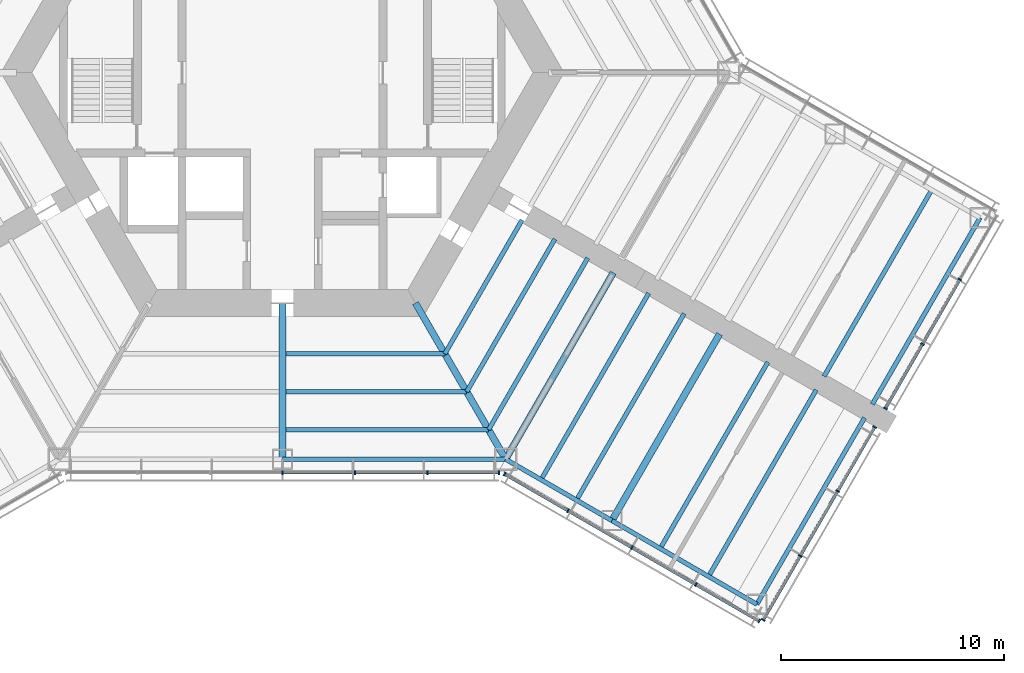
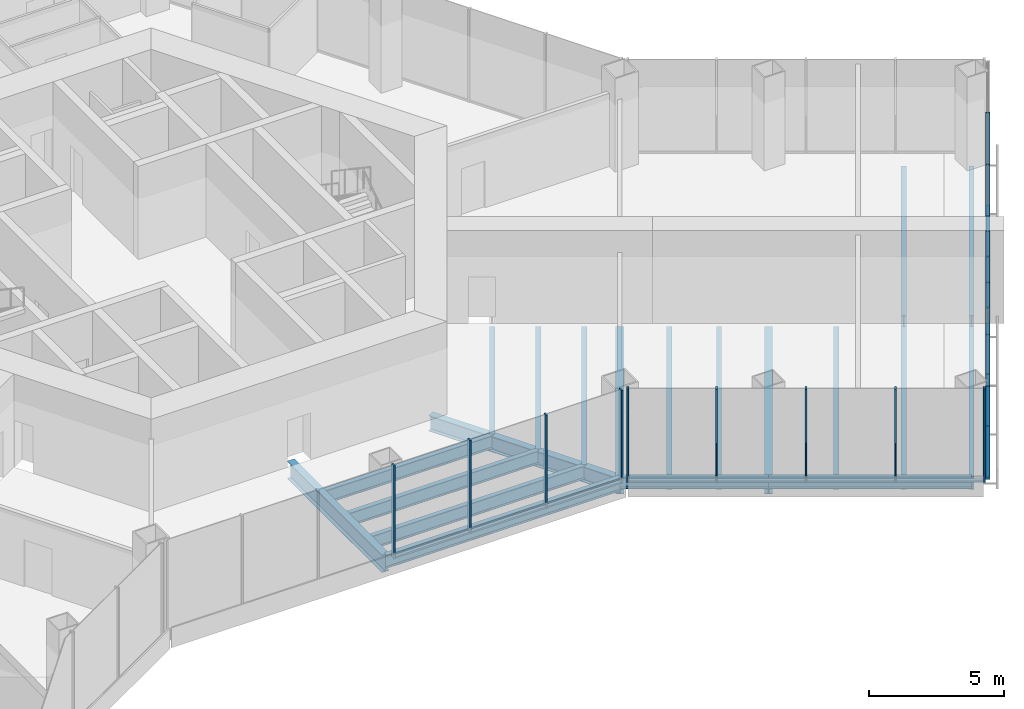
# One storey, part 4 of 16: 28 members, 20 beams, 4 elements without a shape of their own.
"""IFC4 building model written with IfcOpenShell, lengths in metres."""

from ifc_helpers import new_model, si_unit, direction, frame, origin, origin_2d, place, context, subcontext, project, spatial, rectangle, i_section, extrude, material, material_profile, profile_set, type_object, element, aggregate, save


model = new_model("IFC4")

# Units and contexts
model_context = context("Model", 3, precision=1e-05, world=origin(), true_north=direction((0.0, 1.0)))
body_context = subcontext(model_context, "Body", "Model", "MODEL_VIEW")
ifc_project = project(units=[si_unit("LENGTHUNIT", "METRE"), si_unit("AREAUNIT", "SQUARE_METRE"), si_unit("VOLUMEUNIT", "CUBIC_METRE"), si_unit("PLANEANGLEUNIT", "RADIAN"), si_unit("MASSUNIT", "GRAM", prefix="KILO")], contexts=[model_context])

# Site, building, storey
site_placement = place(None, origin())
site = spatial("IfcSite", under=ifc_project, at=site_placement, CompositionType="ELEMENT")
building_placement = place(site_placement, origin())
building = spatial("IfcBuilding", under=site, at=building_placement, Name="Kasaneha Research Tower", CompositionType="ELEMENT")
storey_placement = place(building_placement, frame((0.0, 0.0, 10.0)))
storey = spatial("IfcBuildingStorey", under=building, at=storey_placement, Name="L03", CompositionType="ELEMENT", Elevation=10.0)

# Beams
ifc_material_1 = material(Name="Steel SN490B", Category="steel")
ifc_material_profile_1 = material_profile(ifc_material_1, i_section(OverallWidth=0.199951171875, OverallDepth=0.60009765625, WebThickness=0.010986328125, FlangeThickness=0.01708984375, FilletRadius=0.012939453125, at=origin_2d()), Name="H-600x200x11x17")
ifc_profile_set_1 = profile_set([ifc_material_profile_1], Name="Steel SN490B")
beam_type_1 = type_object("IfcBeamType", Name="B1-1 secondary beam H-600x200x11x17", PredefinedType="JOIST", material=ifc_profile_set_1)
beam_1_placement = place(storey_placement, frame((7.274658203125, -12.60009765625, -0.5), z_axis=(-1.0, 0.0, 0.0), x_axis=(0.0, -1.0, 0.0)))
element("IfcBeam", 1, at=beam_1_placement, inside=storey, type_object=beam_type_1, Name="Secondary beam RS270R1 L03", PredefinedType="JOIST", context=body_context, shape_type="SweptSolid", body=[
    extrude(i_section(OverallWidth=0.199951171875, OverallDepth=0.60009765625, WebThickness=0.010986328125, FlangeThickness=0.01708984375, FilletRadius=0.012939453125, at=origin_2d()), origin(), (0.0, 0.0, 1.0), 7.124755859375),
])
beam_2_placement = place(storey_placement, frame((8.256103515625, -14.300048828125, -0.5), z_axis=(-1.0, 0.0, 0.0), x_axis=(0.0, -1.0, 0.0)))
element("IfcBeam", 2, at=beam_2_placement, inside=storey, type_object=beam_type_1, Name="Secondary beam RS270R2 L03", PredefinedType="JOIST", context=body_context, shape_type="SweptSolid", body=[
    extrude(i_section(OverallWidth=0.199951171875, OverallDepth=0.60009765625, WebThickness=0.010986328125, FlangeThickness=0.01708984375, FilletRadius=0.012939453125, at=origin_2d()), origin(), (0.0, 0.0, 1.0), 8.106201171875),
])
beam_3_placement = place(storey_placement, frame((9.237548828125, -16.0, -0.5), z_axis=(-1.0, 0.0, 0.0), x_axis=(0.0, -1.0, 0.0)))
element("IfcBeam", 3, at=beam_3_placement, inside=storey, type_object=beam_type_1, Name="Secondary beam RS270R3 L03", PredefinedType="JOIST", context=body_context, shape_type="SweptSolid", body=[
    extrude(i_section(OverallWidth=0.199951171875, OverallDepth=0.60009765625, WebThickness=0.010986328125, FlangeThickness=0.01708984375, FilletRadius=0.012939453125, at=origin_2d()), origin(), (0.0, 0.0, 1.0), 9.087646484375),
])
beam_4_placement = place(storey_placement, frame((7.274658203125, -12.60009765625, -0.5), z_axis=(0.499972710878, 0.866041158593, 0.0), x_axis=(-0.866041158593, 0.499972710878, 0.0)))
element("IfcBeam", 4, at=beam_4_placement, inside=storey, type_object=beam_type_1, Name="Secondary beam RS330L1 L03", PredefinedType="JOIST", context=body_context, shape_type="SweptSolid", body=[
    extrude(i_section(OverallWidth=0.199951171875, OverallDepth=0.60009765625, WebThickness=0.010986328125, FlangeThickness=0.01708984375, FilletRadius=0.012939453125, at=origin_2d()), origin(), (0.0, 0.0, 1.0), 6.9248046875),
])
beam_5_placement = place(storey_placement, frame((8.256103515625, -14.300048828125, -0.5), z_axis=(0.500004902938, 0.866022573054, 0.0), x_axis=(-0.866022573054, 0.500004902938, 0.0)))
element("IfcBeam", 5, at=beam_5_placement, inside=storey, type_object=beam_type_1, Name="Secondary beam RS330L2 L03", PredefinedType="JOIST", context=body_context, shape_type="SweptSolid", body=[
    extrude(i_section(OverallWidth=0.199951171875, OverallDepth=0.60009765625, WebThickness=0.010986328125, FlangeThickness=0.01708984375, FilletRadius=0.012939453125, at=origin_2d()), origin(), (0.0, 0.0, 1.0), 7.90625),
])
beam_6_placement = place(storey_placement, frame((9.237548828125, -16.0, -0.5), z_axis=(0.500009382636, 0.866019986649, 0.0), x_axis=(-0.866019986649, 0.500009382636, 0.0)))
element("IfcBeam", 6, at=beam_6_placement, inside=storey, type_object=beam_type_1, Name="Secondary beam RS330L3 L03", PredefinedType="JOIST", context=body_context, shape_type="SweptSolid", body=[
    extrude(i_section(OverallWidth=0.199951171875, OverallDepth=0.60009765625, WebThickness=0.010986328125, FlangeThickness=0.01708984375, FilletRadius=0.012939453125, at=origin_2d()), origin(), (0.0, 0.0, 1.0), 8.887451171875),
])
ifc_material_2 = material(Name="Steel SN490B", Category="steel")
ifc_material_profile_2 = material_profile(ifc_material_2, i_section(OverallWidth=0.198974609375, OverallDepth=0.595947265625, WebThickness=0.010009765625, FlangeThickness=0.014892578125, FilletRadius=0.012939453125, at=origin_2d()), Name="H-596x199x10x15")
ifc_profile_set_2 = profile_set([ifc_material_profile_2], Name="Steel SN490B")
beam_type_2 = type_object("IfcBeamType", Name="B2-1 secondary beam H-596x199x10x15", PredefinedType="JOIST", material=ifc_profile_set_2)
for number, where, z_axis, x_axis, name in (
    (7, (11.587646484375, -18.237060546875, -0.498046875), (0.50000569793, 0.866022114058, 0.0), (-0.866022114058, 0.50000569793, 0.0), "Secondary beam WBCP1 L03"),
    (8, (13.175537109375, -19.15380859375, -0.498046875), (0.499994742786, 0.866028439017, 0.0), (-0.866028439017, 0.499994742786, 0.0), "Secondary beam WBCP2 L03"),
    (9, (16.92822265625, -21.320556640625, -0.498046875), (0.499994742786, 0.866028439017, 0.0), (-0.866028439017, 0.499994742786, 0.0), "Secondary beam WBCP3 L03"),
    (10, (19.09326171875, -22.570556640625, -0.498046875), (0.499994742786, 0.866028439017, 0.0), (-0.866028439017, 0.499994742786, 0.0), "Secondary beam WBCP4 L03"),
    (11, (29.09326171875, -5.25, -0.498046875), (-0.499994742786, -0.866028439017, 0.0), (0.866028439017, -0.499994742786, 0.0), "Secondary beam WBCN4 L03"),
):
    element("IfcBeam", number, at=place(storey_placement, frame(where, z_axis=z_axis, x_axis=x_axis)), inside=storey, type_object=beam_type_2, Name=name, PredefinedType="JOIST", context=body_context, shape_type="SweptSolid", body=[
        extrude(i_section(OverallWidth=0.198974609375, OverallDepth=0.595947265625, WebThickness=0.010009765625, FlangeThickness=0.014892578125, FilletRadius=0.012939453125, at=origin_2d()), origin(), (0.0, 0.0, 1.0), 9.64990234375),
    ])

# Curtain wall, members
ifc_material_3 = material(Name="Glass and aluminium", Category="aluminium")
curtain_wall_type = type_object("IfcCurtainWallType", Name="Wet laboratory curtain wall", PredefinedType="USERDEFINED", material=ifc_material_3)
curtain_wall_1_placement = place(storey_placement, origin())
curtain_wall_1 = element("IfcCurtainWall", 12, at=curtain_wall_1_placement, inside=storey, type_object=curtain_wall_type, Name="CW-L1 L03 run 02a", ObjectType="UNITISED CURTAIN WALL", PredefinedType="USERDEFINED")
ifc_material_4 = material(Name="Aluminium 6063-T6", Category="aluminium")
ifc_material_profile_3 = material_profile(ifc_material_4, rectangle(XDim=0.06494140625, YDim=0.179931640625, at=origin_2d()), Name="CW-L1 mullion 65x180")
ifc_profile_set_3 = profile_set([ifc_material_profile_3], Name="Aluminium 6063-T6")
member_type_1 = type_object("IfcMemberType", Name="CW-L1 mullion", PredefinedType="MULLION", material=ifc_profile_set_3)
member_1_placement = place(storey_placement, frame((0.0, -17.92041015625, 0.0), z_axis=(0.0, 0.0, 1.0), x_axis=(1.0, 0.0, 0.0)))
member_1 = element("IfcMember", 13, at=member_1_placement, type_object=member_type_1, Name="CW-L1 mullion 4", PredefinedType="MULLION", context=body_context, shape_type="SweptSolid", body=[
    extrude(rectangle(XDim=0.06494140625, YDim=0.179931640625, at=origin_2d()), origin(), (0.0, 0.0, 1.0), 4.199951171875),
])
member_2_placement = place(storey_placement, frame((3.246337890625, -17.92041015625, 0.0), z_axis=(0.0, 0.0, 1.0), x_axis=(1.0, 0.0, 0.0)))
member_2 = element("IfcMember", 14, at=member_2_placement, type_object=member_type_1, Name="CW-L1 mullion 5", PredefinedType="MULLION", context=body_context, shape_type="SweptSolid", body=[
    extrude(rectangle(XDim=0.06494140625, YDim=0.179931640625, at=origin_2d()), origin(), (0.0, 0.0, 1.0), 4.199951171875),
])
member_3_placement = place(storey_placement, frame((6.492919921875, -17.92041015625, 0.0), z_axis=(0.0, 0.0, 1.0), x_axis=(1.0, 0.0, 0.0)))
member_3 = element("IfcMember", 15, at=member_3_placement, type_object=member_type_1, Name="CW-L1 mullion 6", PredefinedType="MULLION", context=body_context, shape_type="SweptSolid", body=[
    extrude(rectangle(XDim=0.06494140625, YDim=0.179931640625, at=origin_2d()), origin(), (0.0, 0.0, 1.0), 4.199951171875),
])
member_4_placement = place(storey_placement, frame((9.706787109375, -17.92041015625, 0.0), z_axis=(0.0, 0.0, 1.0), x_axis=(1.0, 0.0, 0.0)))
member_4 = element("IfcMember", 16, at=member_4_placement, type_object=member_type_1, Name="CW-L1 mullion 7", PredefinedType="MULLION", context=body_context, shape_type="SweptSolid", body=[
    extrude(rectangle(XDim=0.06494140625, YDim=0.179931640625, at=origin_2d()), origin(), (0.0, 0.0, 1.0), 4.199951171875),
])

curtain_wall_2_placement = place(storey_placement, origin())
curtain_wall_2 = element("IfcCurtainWall", 17, at=curtain_wall_2_placement, inside=storey, type_object=curtain_wall_type, Name="CW-L1 L03 run 03a", ObjectType="UNITISED CURTAIN WALL", PredefinedType="USERDEFINED")
member_5_placement = place(storey_placement, frame((9.953857421875, -17.98681640625, 0.0), z_axis=(0.0, 0.0, 1.0), x_axis=(0.866025411464, -0.499999986699, 0.0)))
member_5 = element("IfcMember", 18, at=member_5_placement, type_object=member_type_1, Name="CW-L1 mullion 1", PredefinedType="MULLION", context=body_context, shape_type="SweptSolid", body=[
    extrude(rectangle(XDim=0.06494140625, YDim=0.179931640625, at=origin_2d()), origin(), (0.0, 0.0, 1.0), 4.199951171875),
])
member_6_placement = place(storey_placement, frame((12.792236328125, -19.62548828125, 0.0), z_axis=(0.0, 0.0, 1.0), x_axis=(0.866025411464, -0.499999986699, 0.0)))
member_6 = element("IfcMember", 19, at=member_6_placement, type_object=member_type_1, Name="CW-L1 mullion 2", PredefinedType="MULLION", context=body_context, shape_type="SweptSolid", body=[
    extrude(rectangle(XDim=0.06494140625, YDim=0.179931640625, at=origin_2d()), origin(), (0.0, 0.0, 1.0), 4.199951171875),
])
member_7_placement = place(storey_placement, frame((15.65869140625, -21.2802734375, 0.0), z_axis=(0.0, 0.0, 1.0), x_axis=(0.866025411464, -0.499999986699, 0.0)))
member_7 = element("IfcMember", 20, at=member_7_placement, type_object=member_type_1, Name="CW-L1 mullion 3", PredefinedType="MULLION", context=body_context, shape_type="SweptSolid", body=[
    extrude(rectangle(XDim=0.06494140625, YDim=0.179931640625, at=origin_2d()), origin(), (0.0, 0.0, 1.0), 4.199951171875),
])
member_8_placement = place(storey_placement, frame((18.52490234375, -22.935302734375, 0.0), z_axis=(0.0, 0.0, 1.0), x_axis=(0.866025411464, -0.499999986699, 0.0)))
member_8 = element("IfcMember", 21, at=member_8_placement, type_object=member_type_1, Name="CW-L1 mullion 4", PredefinedType="MULLION", context=body_context, shape_type="SweptSolid", body=[
    extrude(rectangle(XDim=0.06494140625, YDim=0.179931640625, at=origin_2d()), origin(), (0.0, 0.0, 1.0), 4.199951171875),
])
member_9_placement = place(storey_placement, frame((21.36328125, -24.573974609375, 0.0), z_axis=(0.0, 0.0, 1.0), x_axis=(0.866025411464, -0.499999986699, 0.0)))
member_9 = element("IfcMember", 22, at=member_9_placement, type_object=member_type_1, Name="CW-L1 mullion 5", PredefinedType="MULLION", context=body_context, shape_type="SweptSolid", body=[
    extrude(rectangle(XDim=0.06494140625, YDim=0.179931640625, at=origin_2d()), origin(), (0.0, 0.0, 1.0), 4.199951171875),
])

curtain_wall_3_placement = place(storey_placement, origin())
curtain_wall_3 = element("IfcCurtainWall", 23, at=curtain_wall_3_placement, inside=storey, type_object=curtain_wall_type, Name="CW-L1 L03 run 04a", ObjectType="UNITISED CURTAIN WALL", PredefinedType="USERDEFINED")
member_10_placement = place(storey_placement, frame((21.544189453125, -24.525390625, 0.0), z_axis=(0.0, 0.0, 1.0), x_axis=(0.500000011442, 0.866025397178, 0.0)))
member_10 = element("IfcMember", 24, at=member_10_placement, type_object=member_type_1, Name="CW-L1 mullion 1", PredefinedType="MULLION", context=body_context, shape_type="SweptSolid", body=[
    extrude(rectangle(XDim=0.06494140625, YDim=0.179931640625, at=origin_2d()), origin(), (0.0, 0.0, 1.0), 4.199951171875),
])
member_11_placement = place(storey_placement, frame((23.202880859375, -21.65234375, 0.0), z_axis=(0.0, 0.0, 1.0), x_axis=(0.500000011442, 0.866025397178, 0.0)))
member_11 = element("IfcMember", 25, at=member_11_placement, type_object=member_type_1, Name="CW-L1 mullion 2", PredefinedType="MULLION", context=body_context, shape_type="SweptSolid", body=[
    extrude(rectangle(XDim=0.06494140625, YDim=0.179931640625, at=origin_2d()), origin(), (0.0, 0.0, 1.0), 4.199951171875),
])
member_12_placement = place(storey_placement, frame((24.8779296875, -18.751220703125, 0.0), z_axis=(0.0, 0.0, 1.0), x_axis=(0.500000011442, 0.866025397178, 0.0)))
member_12 = element("IfcMember", 26, at=member_12_placement, type_object=member_type_1, Name="CW-L1 mullion 3", PredefinedType="MULLION", context=body_context, shape_type="SweptSolid", body=[
    extrude(rectangle(XDim=0.06494140625, YDim=0.179931640625, at=origin_2d()), origin(), (0.0, 0.0, 1.0), 4.199951171875),
])
member_13_placement = place(storey_placement, frame((26.53662109375, -15.878173828125, 0.0), z_axis=(0.0, 0.0, 1.0), x_axis=(0.500000011442, 0.866025397178, 0.0)))
member_13 = element("IfcMember", 27, at=member_13_placement, type_object=member_type_1, Name="CW-L1 mullion 4", PredefinedType="MULLION", context=body_context, shape_type="SweptSolid", body=[
    extrude(rectangle(XDim=0.06494140625, YDim=0.179931640625, at=origin_2d()), origin(), (0.0, 0.0, 1.0), 4.199951171875),
])

curtain_wall_4_placement = place(storey_placement, origin())
curtain_wall_4 = element("IfcCurtainWall", 28, at=curtain_wall_4_placement, inside=storey, type_object=curtain_wall_type, Name="CW-L1 L03 run 05a", ObjectType="UNITISED CURTAIN WALL", PredefinedType="USERDEFINED")
member_14_placement = place(storey_placement, frame((27.019287109375, -15.04248046875, 0.0), z_axis=(0.0, 0.0, 1.0), x_axis=(0.500000011442, 0.866025397178, 0.0)))
member_14 = element("IfcMember", 29, at=member_14_placement, type_object=member_type_1, Name="CW-L1 mullion 1", PredefinedType="MULLION", context=body_context, shape_type="SweptSolid", body=[
    extrude(rectangle(XDim=0.06494140625, YDim=0.179931640625, at=origin_2d()), origin(), (0.0, 0.0, 1.0), 4.199951171875),
])
member_15_placement = place(storey_placement, frame((28.677978515625, -12.16943359375, 0.0), z_axis=(0.0, 0.0, 1.0), x_axis=(0.500000011442, 0.866025397178, 0.0)))
member_15 = element("IfcMember", 30, at=member_15_placement, type_object=member_type_1, Name="CW-L1 mullion 2", PredefinedType="MULLION", context=body_context, shape_type="SweptSolid", body=[
    extrude(rectangle(XDim=0.06494140625, YDim=0.179931640625, at=origin_2d()), origin(), (0.0, 0.0, 1.0), 4.199951171875),
])
member_16_placement = place(storey_placement, frame((30.35302734375, -9.26806640625, 0.0), z_axis=(0.0, 0.0, 1.0), x_axis=(0.500000011442, 0.866025397178, 0.0)))
member_16 = element("IfcMember", 31, at=member_16_placement, type_object=member_type_1, Name="CW-L1 mullion 3", PredefinedType="MULLION", context=body_context, shape_type="SweptSolid", body=[
    extrude(rectangle(XDim=0.06494140625, YDim=0.179931640625, at=origin_2d()), origin(), (0.0, 0.0, 1.0), 4.199951171875),
])

# Member
ifc_material_5 = material(Name="Aluminium 6063-T6", Category="aluminium")
ifc_material_profile_4 = material_profile(ifc_material_5, rectangle(XDim=0.139892578125, YDim=0.06494140625, at=origin_2d()), Name="CW-L1 transom 140x65")
ifc_profile_set_4 = profile_set([ifc_material_profile_4], Name="Aluminium 6063-T6")
member_type_2 = type_object("IfcMemberType", Name="CW-L1 transom", PredefinedType="USERDEFINED", material=ifc_profile_set_4)
member_17_placement = place(storey_placement, frame((0.032470703125, -17.92041015625, 0.032470703125), z_axis=(1.0, 0.0, 0.0), x_axis=(0.0, 1.0, 0.0)))
member_17 = element("IfcMember", 32, at=member_17_placement, type_object=member_type_2, Name="CW-L1 transom 4", ObjectType="TRANSOM", PredefinedType="USERDEFINED", context=body_context, shape_type="SweptSolid", body=[
    extrude(rectangle(XDim=0.139892578125, YDim=0.06494140625, at=origin_2d()), origin(), (0.0, 0.0, 1.0), 3.181396484375),
])

member_18_placement = place(storey_placement, frame((3.27880859375, -17.92041015625, 0.032470703125), z_axis=(1.0, 0.0, 0.0), x_axis=(0.0, 1.0, 0.0)))
member_18 = element("IfcMember", 33, at=member_18_placement, type_object=member_type_2, Name="CW-L1 transom 5", ObjectType="TRANSOM", PredefinedType="USERDEFINED", context=body_context, shape_type="SweptSolid", body=[
    extrude(rectangle(XDim=0.139892578125, YDim=0.06494140625, at=origin_2d()), origin(), (0.0, 0.0, 1.0), 3.181396484375),
])

member_19_placement = place(storey_placement, frame((6.525390625, -17.92041015625, 0.032470703125), z_axis=(1.0, 0.0, 0.0), x_axis=(0.0, 1.0, 0.0)))
member_19 = element("IfcMember", 34, at=member_19_placement, type_object=member_type_2, Name="CW-L1 transom 6", ObjectType="TRANSOM", PredefinedType="USERDEFINED", context=body_context, shape_type="SweptSolid", body=[
    extrude(rectangle(XDim=0.139892578125, YDim=0.06494140625, at=origin_2d()), origin(), (0.0, 0.0, 1.0), 3.14892578125),
])

aggregate(curtain_wall_1, [member_1, member_2, member_3, member_4, member_17, member_18, member_19])

member_20_placement = place(storey_placement, frame((9.982177734375, -18.0029296875, 0.032470703125), z_axis=(0.866022320763, -0.500005339912, 0.0), x_axis=(0.500005339912, 0.866022320763, 0.0)))
member_20 = element("IfcMember", 35, at=member_20_placement, type_object=member_type_2, Name="CW-L1 transom 1", ObjectType="TRANSOM", PredefinedType="USERDEFINED", context=body_context, shape_type="SweptSolid", body=[
    extrude(rectangle(XDim=0.139892578125, YDim=0.06494140625, at=origin_2d()), origin(), (0.0, 0.0, 1.0), 3.21240234375),
])

member_21_placement = place(storey_placement, frame((12.8203125, -19.6416015625, 0.032470703125), z_axis=(0.866002649306, -0.500039409842, 0.0), x_axis=(0.500039409842, 0.866002649306, 0.0)))
member_21 = element("IfcMember", 36, at=member_21_placement, type_object=member_type_2, Name="CW-L1 transom 2", ObjectType="TRANSOM", PredefinedType="USERDEFINED", context=body_context, shape_type="SweptSolid", body=[
    extrude(rectangle(XDim=0.139892578125, YDim=0.06494140625, at=origin_2d()), origin(), (0.0, 0.0, 1.0), 3.244873046875),
])

member_22_placement = place(storey_placement, frame((15.686767578125, -21.296630859375, 0.032470703125), z_axis=(0.866035229914, -0.499982980259, 0.0), x_axis=(0.499982980259, 0.866035229914, 0.0)))
member_22 = element("IfcMember", 37, at=member_22_placement, type_object=member_type_2, Name="CW-L1 transom 3", ObjectType="TRANSOM", PredefinedType="USERDEFINED", context=body_context, shape_type="SweptSolid", body=[
    extrude(rectangle(XDim=0.139892578125, YDim=0.06494140625, at=origin_2d()), origin(), (0.0, 0.0, 1.0), 3.24462890625),
])

member_23_placement = place(storey_placement, frame((18.55322265625, -22.951416015625, 0.032470703125), z_axis=(0.86600331843, -0.500038251005, 0.0), x_axis=(0.500038251005, 0.86600331843, 0.0)))
member_23 = element("IfcMember", 38, at=member_23_placement, type_object=member_type_2, Name="CW-L1 transom 4", ObjectType="TRANSOM", PredefinedType="USERDEFINED", context=body_context, shape_type="SweptSolid", body=[
    extrude(rectangle(XDim=0.139892578125, YDim=0.06494140625, at=origin_2d()), origin(), (0.0, 0.0, 1.0), 3.212158203125),
])

aggregate(curtain_wall_2, [member_5, member_6, member_7, member_8, member_9, member_20, member_21, member_22, member_23])

member_24_placement = place(storey_placement, frame((21.560546875, -24.497314453125, 0.032470703125), z_axis=(0.499973687205, 0.866040594951, 0.0), x_axis=(-0.866040594951, 0.499973687205, 0.0)))
member_24 = element("IfcMember", 39, at=member_24_placement, type_object=member_type_2, Name="CW-L1 transom 1", ObjectType="TRANSOM", PredefinedType="USERDEFINED", context=body_context, shape_type="SweptSolid", body=[
    extrude(rectangle(XDim=0.139892578125, YDim=0.06494140625, at=origin_2d()), origin(), (0.0, 0.0, 1.0), 3.252685546875),
])

member_25_placement = place(storey_placement, frame((23.21923828125, -21.624267578125, 0.032470703125), z_axis=(0.50000765355, 0.86602098496, 0.0), x_axis=(-0.86602098496, 0.50000765355, 0.0)))
member_25 = element("IfcMember", 40, at=member_25_placement, type_object=member_type_2, Name="CW-L1 transom 2", ObjectType="TRANSOM", PredefinedType="USERDEFINED", context=body_context, shape_type="SweptSolid", body=[
    extrude(rectangle(XDim=0.139892578125, YDim=0.06494140625, at=origin_2d()), origin(), (0.0, 0.0, 1.0), 3.28515625),
])

member_26_placement = place(storey_placement, frame((24.894287109375, -18.722900390625, 0.032470703125), z_axis=(0.500006189695, 0.866021830133, 0.0), x_axis=(-0.866021830133, 0.500006189695, 0.0)))
member_26 = element("IfcMember", 41, at=member_26_placement, type_object=member_type_2, Name="CW-L1 transom 3", ObjectType="TRANSOM", PredefinedType="USERDEFINED", context=body_context, shape_type="SweptSolid", body=[
    extrude(rectangle(XDim=0.139892578125, YDim=0.06494140625, at=origin_2d()), origin(), (0.0, 0.0, 1.0), 3.25244140625),
])

aggregate(curtain_wall_3, [member_10, member_11, member_12, member_13, member_24, member_25, member_26])

member_27_placement = place(storey_placement, frame((27.035400390625, -15.01416015625, 0.032470703125), z_axis=(0.500006189695, 0.866021830133, 0.0), x_axis=(-0.866021830133, 0.500006189695, 0.0)))
member_27 = element("IfcMember", 42, at=member_27_placement, type_object=member_type_2, Name="CW-L1 transom 1", ObjectType="TRANSOM", PredefinedType="USERDEFINED", context=body_context, shape_type="SweptSolid", body=[
    extrude(rectangle(XDim=0.139892578125, YDim=0.06494140625, at=origin_2d()), origin(), (0.0, 0.0, 1.0), 3.25244140625),
])

member_28_placement = place(storey_placement, frame((28.694091796875, -12.14111328125, 0.032470703125), z_axis=(0.500039835994, 0.866002403241, 0.0), x_axis=(-0.866002403241, 0.500039835994, 0.0)))
member_28 = element("IfcMember", 43, at=member_28_placement, type_object=member_type_2, Name="CW-L1 transom 2", ObjectType="TRANSOM", PredefinedType="USERDEFINED", context=body_context, shape_type="SweptSolid", body=[
    extrude(rectangle(XDim=0.139892578125, YDim=0.06494140625, at=origin_2d()), origin(), (0.0, 0.0, 1.0), 3.284912109375),
])

aggregate(curtain_wall_4, [member_14, member_15, member_16, member_27, member_28])

# Beams
ifc_material_6 = material(Name="Steel SN490B", Category="steel")
ifc_material_profile_5 = material_profile(ifc_material_6, i_section(OverallWidth=0.300048828125, OverallDepth=0.699951171875, WebThickness=0.012939453125, FlangeThickness=0.02392578125, FilletRadius=0.01806640625, at=origin_2d()), Name="H-700x300x13x24")
ifc_profile_set_5 = profile_set([ifc_material_profile_5], Name="Steel SN490B")
beam_type_3 = type_object("IfcBeamType", Name="G1-1 radial girder H-700x300x13x24", PredefinedType="BEAM", material=ifc_profile_set_5)
beam_7_placement = place(storey_placement, frame((5.961181640625, -10.324951171875, -0.550048828125), z_axis=(0.49999105496, -0.866030568144, 0.0), x_axis=(0.866030568144, 0.49999105496, 0.0)))
element("IfcBeam", 44, at=beam_7_placement, inside=storey, type_object=beam_type_3, Name="Radial girder RV300 L03", PredefinedType="BEAM", context=body_context, shape_type="SweptSolid", body=[
    extrude(i_section(OverallWidth=0.300048828125, OverallDepth=0.699951171875, WebThickness=0.012939453125, FlangeThickness=0.02392578125, FilletRadius=0.01806640625, at=origin_2d()), origin(), (0.0, 0.0, 1.0), 8.077880859375),
])
ifc_material_7 = material(Name="Steel SN490B", Category="steel")
ifc_material_profile_6 = material_profile(ifc_material_7, i_section(OverallWidth=0.300048828125, OverallDepth=0.800048828125, WebThickness=0.013916015625, FlangeThickness=0.02587890625, FilletRadius=0.01806640625, at=origin_2d()), Name="H-800x300x14x26")
ifc_profile_set_6 = profile_set([ifc_material_profile_6], Name="Steel SN490B")
beam_type_4 = type_object("IfcBeamType", Name="G2-1 radial girder H-800x300x14x26", PredefinedType="BEAM", material=ifc_profile_set_6)
beam_8_placement = place(storey_placement, frame((0.0, -10.324951171875, -0.60009765625), z_axis=(0.0, -1.0, 0.0), x_axis=(1.0, 0.0, 0.0)))
element("IfcBeam", 45, at=beam_8_placement, inside=storey, type_object=beam_type_4, Name="Radial girder RM270 L03", PredefinedType="BEAM", context=body_context, shape_type="SweptSolid", body=[
    extrude(i_section(OverallWidth=0.300048828125, OverallDepth=0.800048828125, WebThickness=0.013916015625, FlangeThickness=0.02587890625, FilletRadius=0.01806640625, at=origin_2d()), origin(), (0.0, 0.0, 1.0), 6.99560546875),
])
ifc_material_8 = material(Name="Steel SN490B", Category="steel")
ifc_material_profile_7 = material_profile(ifc_material_8, i_section(OverallWidth=0.300048828125, OverallDepth=0.7919921875, WebThickness=0.013916015625, FlangeThickness=0.02197265625, FilletRadius=0.01806640625, at=origin_2d()), Name="H-792x300x14x22")
ifc_profile_set_7 = profile_set([ifc_material_profile_7], Name="Steel SN490B")
beam_type_5 = type_object("IfcBeamType", Name="G3-1 plate edge girder H-792x300x14x22", PredefinedType="BEAM", material=ifc_profile_set_7)
beam_9_placement = place(storey_placement, frame((10.0, -17.320556640625, -0.595947265625), z_axis=(0.499994742786, 0.866028439017, 0.0), x_axis=(-0.866028439017, 0.499994742786, 0.0)))
element("IfcBeam", 46, at=beam_9_placement, inside=storey, type_object=beam_type_5, Name="Plate edge girder PECP L03", PredefinedType="BEAM", context=body_context, shape_type="SweptSolid", body=[
    extrude(i_section(OverallWidth=0.300048828125, OverallDepth=0.7919921875, WebThickness=0.013916015625, FlangeThickness=0.02197265625, FilletRadius=0.01806640625, at=origin_2d()), origin(), (0.0, 0.0, 1.0), 9.64990234375),
])
ifc_material_9 = material(Name="Steel SN490B", Category="steel")
ifc_material_profile_8 = material_profile(ifc_material_9, i_section(OverallWidth=0.300048828125, OverallDepth=0.800048828125, WebThickness=0.013916015625, FlangeThickness=0.02587890625, FilletRadius=0.01806640625, at=origin_2d()), Name="H-800x300x14x26")
ifc_profile_set_8 = profile_set([ifc_material_profile_8], Name="Steel SN490B")
beam_type_6 = type_object("IfcBeamType", Name="G4-1 wing girder H-800x300x14x26", PredefinedType="BEAM", material=ifc_profile_set_8)
beam_10_placement = place(storey_placement, frame((14.76318359375, -20.070556640625, -0.60009765625), z_axis=(0.499994742786, 0.866028439017, 0.0), x_axis=(-0.866028439017, 0.499994742786, 0.0)))
element("IfcBeam", 47, at=beam_10_placement, inside=storey, type_object=beam_type_6, Name="Wing girder WGCP L03", PredefinedType="BEAM", context=body_context, shape_type="SweptSolid", body=[
    extrude(i_section(OverallWidth=0.300048828125, OverallDepth=0.800048828125, WebThickness=0.013916015625, FlangeThickness=0.02587890625, FilletRadius=0.01806640625, at=origin_2d()), origin(), (0.0, 0.0, 1.0), 9.64990234375),
])
ifc_material_10 = material(Name="Steel SN490B", Category="steel")
ifc_material_profile_9 = material_profile(ifc_material_10, i_section(OverallWidth=0.199951171875, OverallDepth=0.60009765625, WebThickness=0.010986328125, FlangeThickness=0.01708984375, FilletRadius=0.012939453125, at=origin_2d()), Name="H-600x200x11x17")
ifc_profile_set_9 = profile_set([ifc_material_profile_9], Name="Steel SN490B")
beam_type_7 = type_object("IfcBeamType", Name="SB1-1 spandrel beam H-600x200x11x17", PredefinedType="SPANDREL", material=ifc_profile_set_9)
beam_11_placement = place(storey_placement, frame((10.0, -17.320556640625, -0.5), z_axis=(-1.0, 0.0, 0.0), x_axis=(0.0, -1.0, 0.0)))
element("IfcBeam", 48, at=beam_11_placement, inside=storey, type_object=beam_type_7, Name="Spandrel beam SR270R L03", PredefinedType="SPANDREL", context=body_context, shape_type="SweptSolid", body=[
    extrude(i_section(OverallWidth=0.199951171875, OverallDepth=0.60009765625, WebThickness=0.010986328125, FlangeThickness=0.01708984375, FilletRadius=0.012939453125, at=origin_2d()), origin(), (0.0, 0.0, 1.0), 10.0),
])
ifc_material_11 = material(Name="Steel SN490B", Category="steel")
ifc_material_profile_10 = material_profile(ifc_material_11, i_section(OverallWidth=0.199951171875, OverallDepth=0.5, WebThickness=0.010009765625, FlangeThickness=0.01611328125, FilletRadius=0.012939453125, at=origin_2d()), Name="H-500x200x10x16")
ifc_profile_set_10 = profile_set([ifc_material_profile_10], Name="Steel SN490B")
beam_type_8 = type_object("IfcBeamType", Name="SB2-1 spandrel beam H-500x200x10x16", PredefinedType="SPANDREL", material=ifc_profile_set_10)
beam_12_placement = place(storey_placement, frame((10.0, -17.320556640625, -0.449951171875), z_axis=(0.866027397988, -0.499996545922, 0.0), x_axis=(0.499996545922, 0.866027397988, 0.0)))
element("IfcBeam", 49, at=beam_12_placement, inside=storey, type_object=beam_type_8, Name="Spandrel beam WSCP1 L03", PredefinedType="SPANDREL", context=body_context, shape_type="SweptSolid", body=[
    extrude(i_section(OverallWidth=0.199951171875, OverallDepth=0.5, WebThickness=0.010009765625, FlangeThickness=0.01611328125, FilletRadius=0.012939453125, at=origin_2d()), origin(), (0.0, 0.0, 1.0), 5.5),
])
beam_13_placement = place(storey_placement, frame((14.76318359375, -20.070556640625, -0.449951171875), z_axis=(0.866022959057, -0.500004234368, 0.0), x_axis=(0.500004234368, 0.866022959057, 0.0)))
element("IfcBeam", 50, at=beam_13_placement, inside=storey, type_object=beam_type_8, Name="Spandrel beam WSCP2 L03", PredefinedType="SPANDREL", context=body_context, shape_type="SweptSolid", body=[
    extrude(i_section(OverallWidth=0.199951171875, OverallDepth=0.5, WebThickness=0.010009765625, FlangeThickness=0.01611328125, FilletRadius=0.012939453125, at=origin_2d()), origin(), (0.0, 0.0, 1.0), 7.5),
])
ifc_material_12 = material(Name="Steel SN490B", Category="steel")
ifc_material_profile_11 = material_profile(ifc_material_12, i_section(OverallWidth=0.199951171875, OverallDepth=0.60009765625, WebThickness=0.010986328125, FlangeThickness=0.01708984375, FilletRadius=0.012939453125, at=origin_2d()), Name="H-600x200x11x17")
ifc_profile_set_11 = profile_set([ifc_material_profile_11], Name="Steel SN490B")
beam_type_9 = type_object("IfcBeamType", Name="SB3-1 spandrel beam H-600x200x11x17", PredefinedType="SPANDREL", material=ifc_profile_set_11)
for number, where, z_axis, x_axis, name in (
    (51, (21.25830078125, -23.820556640625, -0.5), (0.499994742786, 0.866028439017, 0.0), (-0.866028439017, 0.499994742786, 0.0), "Spandrel beam WTCP L03"),
    (52, (31.25830078125, -6.5, -0.5), (-0.499994742786, -0.866028439017, 0.0), (0.866028439017, -0.499994742786, 0.0), "Spandrel beam WTCN L03"),
):
    element("IfcBeam", number, at=place(storey_placement, frame(where, z_axis=z_axis, x_axis=x_axis)), inside=storey, type_object=beam_type_9, Name=name, PredefinedType="SPANDREL", context=body_context, shape_type="SweptSolid", body=[
        extrude(i_section(OverallWidth=0.199951171875, OverallDepth=0.60009765625, WebThickness=0.010986328125, FlangeThickness=0.01708984375, FilletRadius=0.012939453125, at=origin_2d()), origin(), (0.0, 0.0, 1.0), 9.64990234375),
    ])

save(model, "model.ifc")
